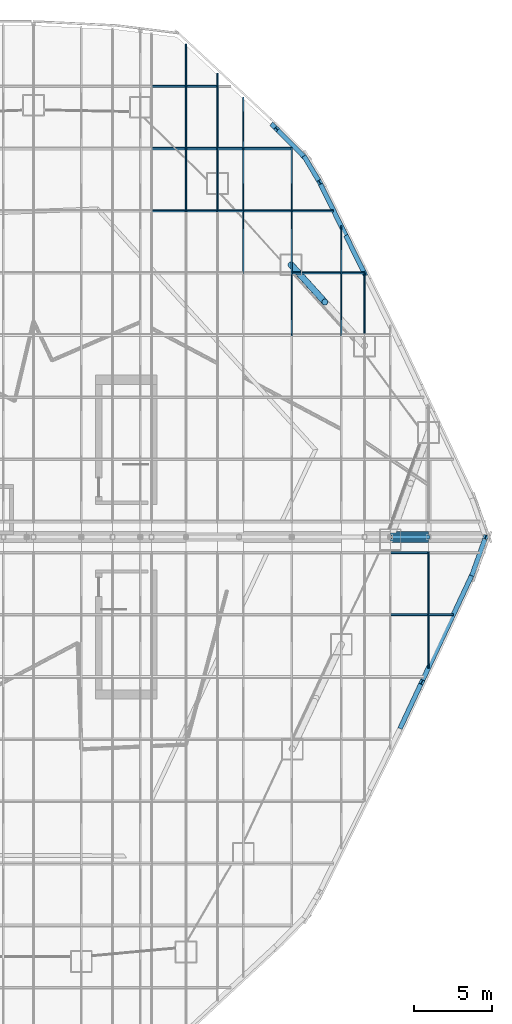
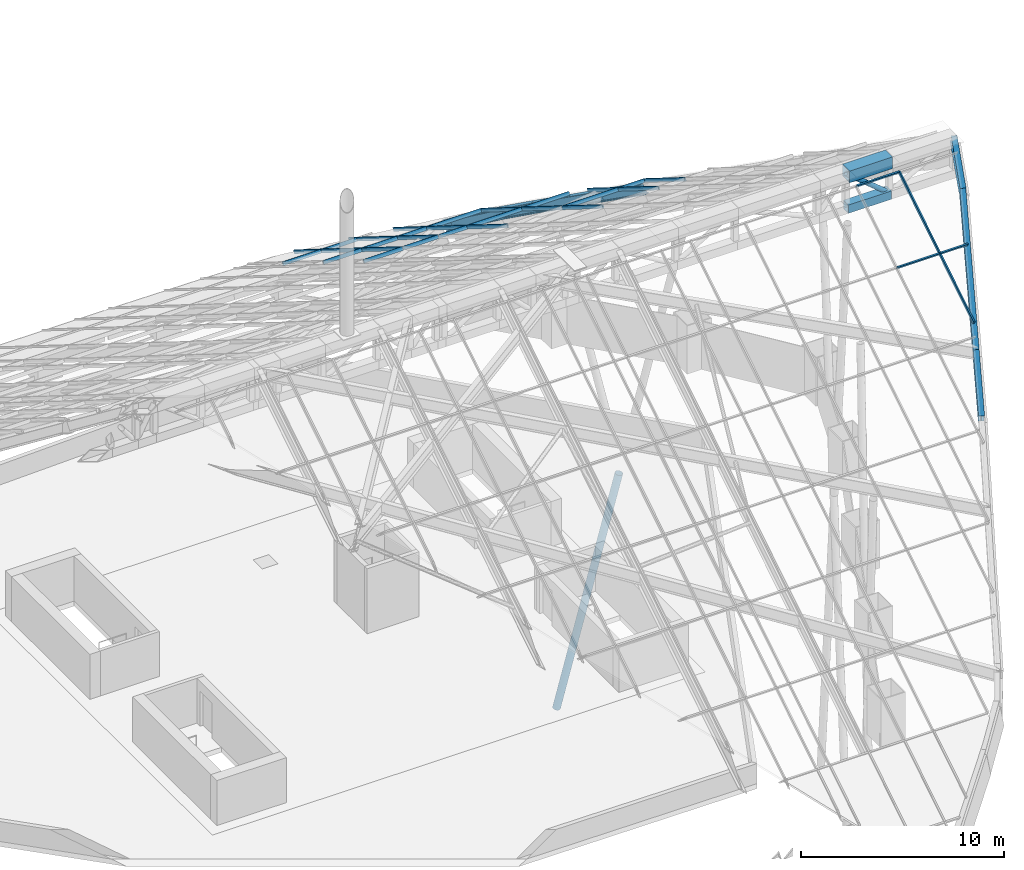
# One storey, part 22 of 38: 45 members, 20 elements without a shape of their own.
"""IFC4 building model written with IfcOpenShell, lengths in metres."""

from ifc_helpers import new_model, si_unit, direction, frame, origin, origin_2d, place, context, subcontext, project, spatial, rectangle, hollow_rectangle, hollow_circle, i_section, extrude, material, layer, layer_set, material_profile, profile_set, type_object, element, aggregate, save


model = new_model("IFC4")

# Units and contexts
model_context = context("Model", 3, precision=1e-05, world=origin(), true_north=direction((0.0, 1.0)))
body_context = subcontext(model_context, "Body", "Model", "MODEL_VIEW")
ifc_project = project(units=[si_unit("LENGTHUNIT", "METRE"), si_unit("AREAUNIT", "SQUARE_METRE"), si_unit("VOLUMEUNIT", "CUBIC_METRE"), si_unit("PLANEANGLEUNIT", "RADIAN"), si_unit("MASSUNIT", "GRAM", prefix="KILO")], contexts=[model_context])

# Site, building, storey
site_placement = place(None, origin())
site = spatial("IfcSite", under=ifc_project, at=site_placement, CompositionType="ELEMENT")
building_placement = place(site_placement, origin())
building = spatial("IfcBuilding", under=site, at=building_placement, Name="Dongbaek Canopy Tower", CompositionType="ELEMENT")
storey_placement = place(building_placement, frame((0.0, 0.0, 375.800048828125)))
storey = spatial("IfcBuildingStorey", under=building, at=storey_placement, Name="Roof", CompositionType="ELEMENT", Elevation=375.800048828125)

# Member
ifc_material_1 = material(Name="Steel S355", Category="steel")
ifc_material_profile_1 = material_profile(ifc_material_1, hollow_circle(Radius=0.203125, WallThickness=0.0126953125, at=origin_2d()), Name="COLONNADE BRACE CHS 406.4x12.7 Steel S355")
ifc_profile_set_1 = profile_set([ifc_material_profile_1], Name="Steel S355")
member_type_1 = type_object("IfcMemberType", Name="COLONNADE BRACE CHS 406.4x12.7 Steel S355", PredefinedType="BRACE", material=ifc_profile_set_1)
member_1_placement = place(storey_placement, frame((21.989990234375, 17.4619140625, -22.199951171875), z_axis=(0.143043946994, -0.157966203785, 0.977028713851), x_axis=(0.741250564373, 0.671228426705, 0.0)))
element("IfcMember", 1, at=member_1_placement, inside=storey, type_object=member_type_1, Name="XBRACE:14:1", PredefinedType="BRACE", context=body_context, shape_type="SweptSolid", body=[
    extrude(hollow_circle(Radius=0.203125, WallThickness=0.0126953125, at=origin_2d()), origin(), (0.0, 0.0, 1.0), 15.1337890625),
])

# Curtain wall, member
ifc_material_2 = material(Name="Aluminium 6063-T6 pale anodised", Category="aluminium")
ifc_layer = layer(ifc_material_2, 0.199951171875)
ifc_layer_set = layer_set([ifc_layer], Name="CW-6 canopy glazing curtain wall")
curtain_wall_type = type_object("IfcCurtainWallType", Name="CW-6 canopy glazing curtain wall", PredefinedType="NOTDEFINED", material=ifc_layer_set)
curtain_wall_1_placement = place(storey_placement, origin())
curtain_wall_1 = element("IfcCurtainWall", 2, at=curtain_wall_1_placement, inside=storey, type_object=curtain_wall_type, Name="CW-6 canopy glazing north 23.6", PredefinedType="NOTDEFINED")
ifc_material_3 = material(Name="Aluminium 6063-T6 pale anodised", Category="aluminium")
ifc_material_profile_2 = material_profile(ifc_material_3, rectangle(XDim=0.080078125, YDim=0.199951171875, at=origin_2d()), Name="CW-6 mullion 80 x 200")
ifc_profile_set_2 = profile_set([ifc_material_profile_2], Name="Aluminium 6063-T6 pale anodised")
member_type_2 = type_object("IfcMemberType", Name="CW-6 mullion 80 x 200", PredefinedType="MULLION", material=ifc_profile_set_2)
member_2_placement = place(storey_placement, frame((15.251953125, 20.93115234375, 5.64453125), z_axis=(0.0, 0.848030400431, -0.529947582262), x_axis=(-1.0, 0.0, 0.0)))
member_2 = element("IfcMember", 3, at=member_2_placement, type_object=member_type_2, Name="CW-6 mullion N23.6.15.3", PredefinedType="MULLION", context=body_context, shape_type="SweptSolid", body=[
    extrude(rectangle(XDim=0.080078125, YDim=0.199951171875, at=origin_2d()), origin(), (0.0, 0.0, 1.0), 4.700439453125),
])

curtain_wall_2_placement = place(storey_placement, origin())
curtain_wall_2 = element("IfcCurtainWall", 4, at=curtain_wall_2_placement, inside=storey, type_object=curtain_wall_type, Name="CW-6 canopy glazing north 23.7", PredefinedType="NOTDEFINED")
member_3_placement = place(storey_placement, frame((15.251953125, 24.917236328125, 3.153564453125), z_axis=(0.0, 0.848068327403, -0.529886886095), x_axis=(-1.0, 0.0, 0.0)))
member_3 = element("IfcMember", 5, at=member_3_placement, type_object=member_type_2, Name="CW-6 mullion N23.7.15.3", PredefinedType="MULLION", context=body_context, shape_type="SweptSolid", body=[
    extrude(rectangle(XDim=0.080078125, YDim=0.199951171875, at=origin_2d()), origin(), (0.0, 0.0, 1.0), 4.700439453125),
])

curtain_wall_3_placement = place(storey_placement, origin())
curtain_wall_3 = element("IfcCurtainWall", 6, at=curtain_wall_3_placement, inside=storey, type_object=curtain_wall_type, Name="CW-6 canopy glazing north 23.8", PredefinedType="NOTDEFINED")
member_4_placement = place(storey_placement, frame((15.251953125, 28.903564453125, 0.662841796875), z_axis=(0.0, 0.84803746353, -0.529936279612), x_axis=(-1.0, 0.0, 0.0)))
member_4 = element("IfcMember", 7, at=member_4_placement, type_object=member_type_2, Name="CW-6 mullion N23.8.15.3", PredefinedType="MULLION", context=body_context, shape_type="SweptSolid", body=[
    extrude(rectangle(XDim=0.080078125, YDim=0.199951171875, at=origin_2d()), origin(), (0.0, 0.0, 1.0), 3.152099609375),
])
aggregate(curtain_wall_3, [member_4])

curtain_wall_4_placement = place(storey_placement, origin())
curtain_wall_4 = element("IfcCurtainWall", 8, at=curtain_wall_4_placement, inside=storey, type_object=curtain_wall_type, Name="CW-6 canopy glazing north 24.6", PredefinedType="NOTDEFINED")
member_5_placement = place(storey_placement, frame((17.27587890625, 20.93115234375, 5.64453125), z_axis=(0.0, 0.848030400431, -0.529947582262), x_axis=(-1.0, 0.0, 0.0)))
member_5 = element("IfcMember", 9, at=member_5_placement, type_object=member_type_2, Name="CW-6 mullion N24.6.17.3", PredefinedType="MULLION", context=body_context, shape_type="SweptSolid", body=[
    extrude(rectangle(XDim=0.080078125, YDim=0.199951171875, at=origin_2d()), origin(), (0.0, 0.0, 1.0), 4.700439453125),
])

curtain_wall_5_placement = place(storey_placement, origin())
curtain_wall_5 = element("IfcCurtainWall", 10, at=curtain_wall_5_placement, inside=storey, type_object=curtain_wall_type, Name="CW-6 canopy glazing north 24.7", PredefinedType="NOTDEFINED")
member_6_placement = place(storey_placement, frame((17.27587890625, 24.917236328125, 3.153564453125), z_axis=(0.0, 0.848068327403, -0.529886886095), x_axis=(-1.0, 0.0, 0.0)))
member_6 = element("IfcMember", 11, at=member_6_placement, type_object=member_type_2, Name="CW-6 mullion N24.7.17.3", PredefinedType="MULLION", context=body_context, shape_type="SweptSolid", body=[
    extrude(rectangle(XDim=0.080078125, YDim=0.199951171875, at=origin_2d()), origin(), (0.0, 0.0, 1.0), 4.700439453125),
])

curtain_wall_6_placement = place(storey_placement, origin())
curtain_wall_6 = element("IfcCurtainWall", 12, at=curtain_wall_6_placement, inside=storey, type_object=curtain_wall_type, Name="CW-6 canopy glazing north 24.8", PredefinedType="NOTDEFINED")
member_7_placement = place(storey_placement, frame((17.27587890625, 28.903564453125, 0.662841796875), z_axis=(0.0, 0.847924760458, -0.530116591518), x_axis=(-1.0, 0.0, 0.0)))
member_7 = element("IfcMember", 13, at=member_7_placement, type_object=member_type_2, Name="CW-6 mullion N24.8.17.3", PredefinedType="MULLION", context=body_context, shape_type="SweptSolid", body=[
    extrude(rectangle(XDim=0.080078125, YDim=0.199951171875, at=origin_2d()), origin(), (0.0, 0.0, 1.0), 0.9326171875),
])
aggregate(curtain_wall_6, [member_7])

curtain_wall_7_placement = place(storey_placement, origin())
curtain_wall_7 = element("IfcCurtainWall", 14, at=curtain_wall_7_placement, inside=storey, type_object=curtain_wall_type, Name="CW-6 canopy glazing north 25.5", PredefinedType="NOTDEFINED")
member_8_placement = place(storey_placement, frame((18.925048828125, 16.94482421875, 8.13525390625), z_axis=(0.0, 0.848068327403, -0.529886886095), x_axis=(-1.0, 0.0, 0.0)))
member_8 = element("IfcMember", 15, at=member_8_placement, type_object=member_type_2, Name="CW-6 mullion N25.5.18.9", PredefinedType="MULLION", context=body_context, shape_type="SweptSolid", body=[
    extrude(rectangle(XDim=0.080078125, YDim=0.199951171875, at=origin_2d()), origin(), (0.0, 0.0, 1.0), 4.700439453125),
])

curtain_wall_8_placement = place(storey_placement, origin())
curtain_wall_8 = element("IfcCurtainWall", 16, at=curtain_wall_8_placement, inside=storey, type_object=curtain_wall_type, Name="CW-6 canopy glazing north 25.6", PredefinedType="NOTDEFINED")
member_9_placement = place(storey_placement, frame((18.925048828125, 20.93115234375, 5.64453125), z_axis=(0.0, 0.848030400431, -0.529947582262), x_axis=(-1.0, 0.0, 0.0)))
member_9 = element("IfcMember", 17, at=member_9_placement, type_object=member_type_2, Name="CW-6 mullion N25.6.18.9", PredefinedType="MULLION", context=body_context, shape_type="SweptSolid", body=[
    extrude(rectangle(XDim=0.080078125, YDim=0.199951171875, at=origin_2d()), origin(), (0.0, 0.0, 1.0), 4.700439453125),
])

curtain_wall_9_placement = place(storey_placement, origin())
curtain_wall_9 = element("IfcCurtainWall", 18, at=curtain_wall_9_placement, inside=storey, type_object=curtain_wall_type, Name="CW-6 canopy glazing north 25.7", PredefinedType="NOTDEFINED")
member_10_placement = place(storey_placement, frame((18.925048828125, 24.917236328125, 3.153564453125), z_axis=(0.0, 0.848048503756, -0.529918611936), x_axis=(-1.0, 0.0, 0.0)))
member_10 = element("IfcMember", 19, at=member_10_placement, type_object=member_type_2, Name="CW-6 mullion N25.7.18.9", PredefinedType="MULLION", context=body_context, shape_type="SweptSolid", body=[
    extrude(rectangle(XDim=0.080078125, YDim=0.199951171875, at=origin_2d()), origin(), (0.0, 0.0, 1.0), 3.824951171875),
])
aggregate(curtain_wall_9, [member_10])

curtain_wall_10_placement = place(storey_placement, origin())
curtain_wall_10 = element("IfcCurtainWall", 20, at=curtain_wall_10_placement, inside=storey, type_object=curtain_wall_type, Name="CW-6 canopy glazing north 26.4", PredefinedType="NOTDEFINED")
member_11_placement = place(storey_placement, frame((22.035400390625, 12.958740234375, 10.626220703125), z_axis=(0.0, 0.848030400431, -0.529947582262), x_axis=(-1.0, 0.0, 0.0)))
member_11 = element("IfcMember", 21, at=member_11_placement, type_object=member_type_2, Name="CW-6 mullion N26.4.22.0", PredefinedType="MULLION", context=body_context, shape_type="SweptSolid", body=[
    extrude(rectangle(XDim=0.080078125, YDim=0.199951171875, at=origin_2d()), origin(), (0.0, 0.0, 1.0), 4.700439453125),
])
aggregate(curtain_wall_10, [member_11])

curtain_wall_11_placement = place(storey_placement, origin())
curtain_wall_11 = element("IfcCurtainWall", 22, at=curtain_wall_11_placement, inside=storey, type_object=curtain_wall_type, Name="CW-6 canopy glazing north 26.5", PredefinedType="NOTDEFINED")
member_12_placement = place(storey_placement, frame((22.035400390625, 16.94482421875, 8.13525390625), z_axis=(0.0, 0.848068327403, -0.529886886095), x_axis=(-1.0, 0.0, 0.0)))
member_12 = element("IfcMember", 23, at=member_12_placement, type_object=member_type_2, Name="CW-6 mullion N26.5.22.0", PredefinedType="MULLION", context=body_context, shape_type="SweptSolid", body=[
    extrude(rectangle(XDim=0.080078125, YDim=0.199951171875, at=origin_2d()), origin(), (0.0, 0.0, 1.0), 4.700439453125),
])

curtain_wall_12_placement = place(storey_placement, origin())
curtain_wall_12 = element("IfcCurtainWall", 24, at=curtain_wall_12_placement, inside=storey, type_object=curtain_wall_type, Name="CW-6 canopy glazing north 26.6", PredefinedType="NOTDEFINED")
member_13_placement = place(storey_placement, frame((22.035400390625, 20.93115234375, 5.64453125), z_axis=(0.0, 0.848030400431, -0.529947582262), x_axis=(-1.0, 0.0, 0.0)))
member_13 = element("IfcMember", 25, at=member_13_placement, type_object=member_type_2, Name="CW-6 mullion N26.6.22.0", PredefinedType="MULLION", context=body_context, shape_type="SweptSolid", body=[
    extrude(rectangle(XDim=0.080078125, YDim=0.199951171875, at=origin_2d()), origin(), (0.0, 0.0, 1.0), 4.700439453125),
])

curtain_wall_13_placement = place(storey_placement, origin())
curtain_wall_13 = element("IfcCurtainWall", 26, at=curtain_wall_13_placement, inside=storey, type_object=curtain_wall_type, Name="CW-6 canopy glazing north 27.4", PredefinedType="NOTDEFINED")
member_14_placement = place(storey_placement, frame((25.2099609375, 12.958740234375, 10.626220703125), z_axis=(0.0, 0.848030400431, -0.529947582262), x_axis=(-1.0, 0.0, 0.0)))
member_14 = element("IfcMember", 27, at=member_14_placement, type_object=member_type_2, Name="CW-6 mullion N27.4.25.2", PredefinedType="MULLION", context=body_context, shape_type="SweptSolid", body=[
    extrude(rectangle(XDim=0.080078125, YDim=0.199951171875, at=origin_2d()), origin(), (0.0, 0.0, 1.0), 4.700439453125),
])

curtain_wall_14_placement = place(storey_placement, origin())
curtain_wall_14 = element("IfcCurtainWall", 28, at=curtain_wall_14_placement, inside=storey, type_object=curtain_wall_type, Name="CW-6 canopy glazing north 27.5", PredefinedType="NOTDEFINED")
member_15_placement = place(storey_placement, frame((25.2099609375, 16.94482421875, 8.13525390625), z_axis=(0.0, 0.848072405074, -0.529880359847), x_axis=(-1.0, 0.0, 0.0)))
member_15 = element("IfcMember", 29, at=member_15_placement, type_object=member_type_2, Name="CW-6 mullion N27.5.25.2", PredefinedType="MULLION", context=body_context, shape_type="SweptSolid", body=[
    extrude(rectangle(XDim=0.080078125, YDim=0.199951171875, at=origin_2d()), origin(), (0.0, 0.0, 1.0), 3.516357421875),
])

curtain_wall_15_placement = place(storey_placement, origin())
curtain_wall_15 = element("IfcCurtainWall", 30, at=curtain_wall_15_placement, inside=storey, type_object=curtain_wall_type, Name="CW-6 canopy glazing north 28.4", PredefinedType="NOTDEFINED")
member_16_placement = place(storey_placement, frame((26.702880859375, 12.958740234375, 10.626220703125), z_axis=(0.0, 0.848039704119, -0.529932694064), x_axis=(-1.0, 0.0, 0.0)))
member_16 = element("IfcMember", 31, at=member_16_placement, type_object=member_type_2, Name="CW-6 mullion N28.4.26.7", PredefinedType="MULLION", context=body_context, shape_type="SweptSolid", body=[
    extrude(rectangle(XDim=0.080078125, YDim=0.199951171875, at=origin_2d()), origin(), (0.0, 0.0, 1.0), 4.637939453125),
])

curtain_wall_16_placement = place(storey_placement, origin())
curtain_wall_16 = element("IfcCurtainWall", 32, at=curtain_wall_16_placement, inside=storey, type_object=curtain_wall_type, Name="CW-6 canopy glazing south 30.1", PredefinedType="NOTDEFINED")
member_17_placement = place(storey_placement, frame((30.804931640625, -1.0, 18.0986328125), z_axis=(0.0, -0.848068327403, -0.529886886095), x_axis=(1.0, 0.0, 0.0)))
member_17 = element("IfcMember", 33, at=member_17_placement, type_object=member_type_2, Name="CW-6 mullion S30.1.30.8", PredefinedType="MULLION", context=body_context, shape_type="SweptSolid", body=[
    extrude(rectangle(XDim=0.080078125, YDim=0.199951171875, at=origin_2d()), origin(), (0.0, 0.0, 1.0), 4.700439453125),
])

curtain_wall_17_placement = place(storey_placement, origin())
curtain_wall_17 = element("IfcCurtainWall", 34, at=curtain_wall_17_placement, inside=storey, type_object=curtain_wall_type, Name="CW-6 canopy glazing south 30.2", PredefinedType="NOTDEFINED")
member_18_placement = place(storey_placement, frame((30.804931640625, -4.986328125, 15.60791015625), z_axis=(0.0, -0.848032661292, -0.52994396438), x_axis=(1.0, 0.0, 0.0)))
member_18 = element("IfcMember", 35, at=member_18_placement, type_object=member_type_2, Name="CW-6 mullion S30.2.30.8", PredefinedType="MULLION", context=body_context, shape_type="SweptSolid", body=[
    extrude(rectangle(XDim=0.080078125, YDim=0.199951171875, at=origin_2d()), origin(), (0.0, 0.0, 1.0), 3.991943359375),
])
aggregate(curtain_wall_17, [member_18])

curtain_wall_18_placement = place(storey_placement, origin())
curtain_wall_18 = element("IfcCurtainWall", 36, at=curtain_wall_18_placement, inside=storey, type_object=curtain_wall_type, Name="CW-6 canopy glazing north 23.5", PredefinedType="NOTDEFINED")
ifc_material_4 = material(Name="Aluminium 6063-T6 pale anodised", Category="aluminium")
ifc_material_profile_3 = material_profile(ifc_material_4, rectangle(XDim=0.080078125, YDim=0.199951171875, at=origin_2d()), Name="CW-6 transom 80 x 200")
ifc_profile_set_3 = profile_set([ifc_material_profile_3], Name="Aluminium 6063-T6 pale anodised")
member_type_3 = type_object("IfcMemberType", Name="CW-6 transom 80 x 200", PredefinedType="USERDEFINED", material=ifc_profile_set_3)
member_19_placement = place(storey_placement, frame((13.035400390625, 20.93115234375, 5.64453125), z_axis=(1.0, 0.0, 0.0), x_axis=(0.0, 0.848048096156, -0.529919264233)))
member_19 = element("IfcMember", 37, at=member_19_placement, type_object=member_type_3, Name="CW-6 transom N23.5.6", ObjectType="TRANSOM", PredefinedType="USERDEFINED", context=body_context, shape_type="SweptSolid", body=[
    extrude(rectangle(XDim=0.080078125, YDim=0.199951171875, at=origin_2d()), origin(), (0.0, 0.0, 1.0), 2.216552734375),
])
aggregate(curtain_wall_18, [member_19])

# Member
member_20_placement = place(storey_placement, frame((13.035400390625, 24.917236328125, 3.153564453125), z_axis=(1.0, 0.0, 0.0), x_axis=(0.0, 0.848048096156, -0.529919264233)))
member_20 = element("IfcMember", 38, at=member_20_placement, type_object=member_type_3, Name="CW-6 transom N23.6.7", ObjectType="TRANSOM", PredefinedType="USERDEFINED", context=body_context, shape_type="SweptSolid", body=[
    extrude(rectangle(XDim=0.080078125, YDim=0.199951171875, at=origin_2d()), origin(), (0.0, 0.0, 1.0), 2.216552734375),
])

aggregate(curtain_wall_1, [member_2, member_20])

member_21_placement = place(storey_placement, frame((13.035400390625, 28.903564453125, 0.662841796875), z_axis=(1.0, 0.0, 0.0), x_axis=(0.0, 0.848048096156, -0.529919264233)))
member_21 = element("IfcMember", 39, at=member_21_placement, type_object=member_type_3, Name="CW-6 transom N23.7.8", ObjectType="TRANSOM", PredefinedType="USERDEFINED", context=body_context, shape_type="SweptSolid", body=[
    extrude(rectangle(XDim=0.080078125, YDim=0.199951171875, at=origin_2d()), origin(), (0.0, 0.0, 1.0), 2.216552734375),
])

aggregate(curtain_wall_2, [member_3, member_21])

# Curtain wall, member
curtain_wall_19_placement = place(storey_placement, origin())
curtain_wall_19 = element("IfcCurtainWall", 40, at=curtain_wall_19_placement, inside=storey, type_object=curtain_wall_type, Name="CW-6 canopy glazing north 24.5", PredefinedType="NOTDEFINED")
member_22_placement = place(storey_placement, frame((15.251953125, 20.93115234375, 5.64453125), z_axis=(1.0, 0.0, 0.0), x_axis=(0.0, 0.848048096156, -0.529919264233)))
member_22 = element("IfcMember", 41, at=member_22_placement, type_object=member_type_3, Name="CW-6 transom N24.5.6", ObjectType="TRANSOM", PredefinedType="USERDEFINED", context=body_context, shape_type="SweptSolid", body=[
    extrude(rectangle(XDim=0.080078125, YDim=0.199951171875, at=origin_2d()), origin(), (0.0, 0.0, 1.0), 2.02392578125),
])
aggregate(curtain_wall_19, [member_22])

# Member
member_23_placement = place(storey_placement, frame((15.251953125, 24.917236328125, 3.153564453125), z_axis=(1.0, 0.0, 0.0), x_axis=(0.0, 0.848048096156, -0.529919264233)))
member_23 = element("IfcMember", 42, at=member_23_placement, type_object=member_type_3, Name="CW-6 transom N24.6.7", ObjectType="TRANSOM", PredefinedType="USERDEFINED", context=body_context, shape_type="SweptSolid", body=[
    extrude(rectangle(XDim=0.080078125, YDim=0.199951171875, at=origin_2d()), origin(), (0.0, 0.0, 1.0), 2.02392578125),
])

aggregate(curtain_wall_4, [member_5, member_23])

member_24_placement = place(storey_placement, frame((15.251953125, 28.903564453125, 0.662841796875), z_axis=(1.0, 0.0, 0.0), x_axis=(0.0, 0.848048096156, -0.529919264233)))
member_24 = element("IfcMember", 43, at=member_24_placement, type_object=member_type_3, Name="CW-6 transom N24.7.8", ObjectType="TRANSOM", PredefinedType="USERDEFINED", context=body_context, shape_type="SweptSolid", body=[
    extrude(rectangle(XDim=0.080078125, YDim=0.199951171875, at=origin_2d()), origin(), (0.0, 0.0, 1.0), 2.02392578125),
])

aggregate(curtain_wall_5, [member_6, member_24])

member_25_placement = place(storey_placement, frame((17.27587890625, 20.93115234375, 5.64453125), z_axis=(1.0, 0.0, 0.0), x_axis=(0.0, 0.848048096156, -0.529919264233)))
member_25 = element("IfcMember", 44, at=member_25_placement, type_object=member_type_3, Name="CW-6 transom N25.5.6", ObjectType="TRANSOM", PredefinedType="USERDEFINED", context=body_context, shape_type="SweptSolid", body=[
    extrude(rectangle(XDim=0.080078125, YDim=0.199951171875, at=origin_2d()), origin(), (0.0, 0.0, 1.0), 1.649169921875),
])

aggregate(curtain_wall_7, [member_8, member_25])

member_26_placement = place(storey_placement, frame((17.27587890625, 24.917236328125, 3.153564453125), z_axis=(1.0, 0.0, 0.0), x_axis=(0.0, 0.848048096156, -0.529919264233)))
member_26 = element("IfcMember", 45, at=member_26_placement, type_object=member_type_3, Name="CW-6 transom N25.6.7", ObjectType="TRANSOM", PredefinedType="USERDEFINED", context=body_context, shape_type="SweptSolid", body=[
    extrude(rectangle(XDim=0.080078125, YDim=0.199951171875, at=origin_2d()), origin(), (0.0, 0.0, 1.0), 1.649169921875),
])

aggregate(curtain_wall_8, [member_9, member_26])

member_27_placement = place(storey_placement, frame((18.925048828125, 20.93115234375, 5.64453125), z_axis=(1.0, 0.0, 0.0), x_axis=(0.0, 0.848048096156, -0.529919264233)))
member_27 = element("IfcMember", 46, at=member_27_placement, type_object=member_type_3, Name="CW-6 transom N26.5.6", ObjectType="TRANSOM", PredefinedType="USERDEFINED", context=body_context, shape_type="SweptSolid", body=[
    extrude(rectangle(XDim=0.080078125, YDim=0.199951171875, at=origin_2d()), origin(), (0.0, 0.0, 1.0), 3.1103515625),
])

aggregate(curtain_wall_11, [member_12, member_27])

member_28_placement = place(storey_placement, frame((18.925048828125, 24.917236328125, 3.153564453125), z_axis=(1.0, 0.0, 0.0), x_axis=(0.0, 0.848048096156, -0.529919264233)))
member_28 = element("IfcMember", 47, at=member_28_placement, type_object=member_type_3, Name="CW-6 transom N26.6.7", ObjectType="TRANSOM", PredefinedType="USERDEFINED", context=body_context, shape_type="SweptSolid", body=[
    extrude(rectangle(XDim=0.080078125, YDim=0.199951171875, at=origin_2d()), origin(), (0.0, 0.0, 1.0), 3.1103515625),
])

aggregate(curtain_wall_12, [member_13, member_28])

member_29_placement = place(storey_placement, frame((22.035400390625, 16.94482421875, 8.13525390625), z_axis=(1.0, 0.0, 0.0), x_axis=(0.0, 0.848048096156, -0.529919264233)))
member_29 = element("IfcMember", 48, at=member_29_placement, type_object=member_type_3, Name="CW-6 transom N27.4.5", ObjectType="TRANSOM", PredefinedType="USERDEFINED", context=body_context, shape_type="SweptSolid", body=[
    extrude(rectangle(XDim=0.080078125, YDim=0.199951171875, at=origin_2d()), origin(), (0.0, 0.0, 1.0), 3.174560546875),
])

aggregate(curtain_wall_13, [member_14, member_29])

member_30_placement = place(storey_placement, frame((22.035400390625, 20.93115234375, 5.64453125), z_axis=(1.0, 0.0, 0.0), x_axis=(0.0, 0.848048096156, -0.529919264233)))
member_30 = element("IfcMember", 49, at=member_30_placement, type_object=member_type_3, Name="CW-6 transom N27.5.6", ObjectType="TRANSOM", PredefinedType="USERDEFINED", context=body_context, shape_type="SweptSolid", body=[
    extrude(rectangle(XDim=0.080078125, YDim=0.199951171875, at=origin_2d()), origin(), (0.0, 0.0, 1.0), 2.6806640625),
])

aggregate(curtain_wall_14, [member_15, member_30])

member_31_placement = place(storey_placement, frame((25.2099609375, 16.94482421875, 8.13525390625), z_axis=(1.0, 0.0, 0.0), x_axis=(0.0, 0.848048096156, -0.529919264233)))
member_31 = element("IfcMember", 50, at=member_31_placement, type_object=member_type_3, Name="CW-6 transom N28.4.5", ObjectType="TRANSOM", PredefinedType="USERDEFINED", context=body_context, shape_type="SweptSolid", body=[
    extrude(rectangle(XDim=0.080078125, YDim=0.199951171875, at=origin_2d()), origin(), (0.0, 0.0, 1.0), 1.467041015625),
])

aggregate(curtain_wall_15, [member_16, member_31])

member_32_placement = place(storey_placement, frame((28.35107421875, -1.0, 18.0986328125), z_axis=(1.0, 0.0, 0.0), x_axis=(0.0, 0.848048096156, 0.529919264233)))
member_32 = element("IfcMember", 51, at=member_32_placement, type_object=member_type_3, Name="CW-6 transom S30.1.1", ObjectType="TRANSOM", PredefinedType="USERDEFINED", context=body_context, shape_type="SweptSolid", body=[
    extrude(rectangle(XDim=0.080078125, YDim=0.199951171875, at=origin_2d()), origin(), (0.0, 0.0, 1.0), 2.453857421875),
])

member_33_placement = place(storey_placement, frame((28.35107421875, -4.986328125, 15.60791015625), z_axis=(1.0, 0.0, 0.0), x_axis=(0.0, 0.848048096156, 0.529919264233)))
member_33 = element("IfcMember", 52, at=member_33_placement, type_object=member_type_3, Name="CW-6 transom S30.1.2", ObjectType="TRANSOM", PredefinedType="USERDEFINED", context=body_context, shape_type="SweptSolid", body=[
    extrude(rectangle(XDim=0.080078125, YDim=0.199951171875, at=origin_2d()), origin(), (0.0, 0.0, 1.0), 2.453857421875),
])

aggregate(curtain_wall_16, [member_17, member_32, member_33])

# Curtain wall, member
curtain_wall_20_placement = place(storey_placement, origin())
curtain_wall_20 = element("IfcCurtainWall", 53, at=curtain_wall_20_placement, inside=storey, type_object=curtain_wall_type, Name="CW-6 canopy glazing south 31.1", PredefinedType="NOTDEFINED")
member_34_placement = place(storey_placement, frame((30.804931640625, -4.986328125, 15.60791015625), z_axis=(1.0, 0.0, 0.0), x_axis=(0.0, 0.848048096156, 0.529919264233)))
member_34 = element("IfcMember", 54, at=member_34_placement, type_object=member_type_3, Name="CW-6 transom S31.1.2", ObjectType="TRANSOM", PredefinedType="USERDEFINED", context=body_context, shape_type="SweptSolid", body=[
    extrude(rectangle(XDim=0.080078125, YDim=0.199951171875, at=origin_2d()), origin(), (0.0, 0.0, 1.0), 1.5849609375),
])
aggregate(curtain_wall_20, [member_34])

# Members
ifc_material_5 = material(Name="Steel S355", Category="steel")
ifc_material_profile_4 = material_profile(ifc_material_5, i_section(OverallWidth=0.300048828125, OverallDepth=0.587890625, WebThickness=0.011962890625, FlangeThickness=0.02001953125, FilletRadius=0.028076171875, at=origin_2d()), Name="EAVES BEAM H 588x300x12x20 Steel S355")
ifc_profile_set_4 = profile_set([ifc_material_profile_4], Name="Steel S355")
member_type_4 = type_object("IfcMemberType", Name="EAVES BEAM H 588x300x12x20 Steel S355", PredefinedType="MEMBER", material=ifc_profile_set_4)
member_35_placement = place(storey_placement, frame((29.03515625, -12.15087890625, 10.658935546875), z_axis=(0.369120837935, 0.788159333046, 0.492498398713), x_axis=(-0.90560409421, 0.424124067402, 0.0)))
element("IfcMember", 55, at=member_35_placement, inside=storey, type_object=member_type_4, Name="EAVE:27", PredefinedType="MEMBER", context=body_context, shape_type="SweptSolid", body=[
    extrude(i_section(OverallWidth=0.300048828125, OverallDepth=0.587890625, WebThickness=0.011962890625, FlangeThickness=0.02001953125, FilletRadius=0.028076171875, at=origin_2d()), origin(), (0.0, 0.0, 1.0), 3.619140625),
])
member_36_placement = place(storey_placement, frame((30.37109375, -9.29833984375, 12.44140625), z_axis=(0.369006851084, 0.788195756885, 0.492525524904), x_axis=(-0.905661920007, 0.424000573879, 0.0)))
element("IfcMember", 56, at=member_36_placement, inside=storey, type_object=member_type_4, Name="EAVE:28", PredefinedType="MEMBER", context=body_context, shape_type="SweptSolid", body=[
    extrude(i_section(OverallWidth=0.300048828125, OverallDepth=0.587890625, WebThickness=0.011962890625, FlangeThickness=0.02001953125, FilletRadius=0.028076171875, at=origin_2d()), origin(), (0.0, 0.0, 1.0), 8.8251953125),
])
member_37_placement = place(storey_placement, frame((33.627685546875, -2.34228515625, 16.7880859375), z_axis=(0.28999238228, 0.811606451458, 0.507148288148), x_axis=(-0.941693046542, 0.336473187779, 0.0)))
element("IfcMember", 57, at=member_37_placement, inside=storey, type_object=member_type_4, Name="EAVE:29", PredefinedType="MEMBER", context=body_context, shape_type="SweptSolid", body=[
    extrude(i_section(OverallWidth=0.300048828125, OverallDepth=0.587890625, WebThickness=0.011962890625, FlangeThickness=0.02001953125, FilletRadius=0.028076171875, at=origin_2d()), origin(), (0.0, 0.0, 1.0), 2.885986328125),
])
member_38_placement = place(storey_placement, frame((26.702880859375, 16.891845703125, 7.696533203125), z_axis=(-0.384977628431, 0.782681111501, -0.489083329614), x_axis=(-0.897326132256, -0.441368114355, 0.0)))
element("IfcMember", 58, at=member_38_placement, inside=storey, type_object=member_type_4, Name="EAVE:35", PredefinedType="MEMBER", context=body_context, shape_type="SweptSolid", body=[
    extrude(i_section(OverallWidth=0.300048828125, OverallDepth=0.587890625, WebThickness=0.011962890625, FlangeThickness=0.02001953125, FilletRadius=0.028076171875, at=origin_2d()), origin(), (0.0, 0.0, 1.0), 2.9736328125),
])
member_39_placement = place(storey_placement, frame((25.55810546875, 19.21923828125, 6.2421875), z_axis=(-0.38499106855, 0.78269257558, -0.489054403179), x_axis=(-0.897322590016, -0.441375315855, 0.0)))
element("IfcMember", 59, at=member_39_placement, inside=storey, type_object=member_type_4, Name="EAVE:36", PredefinedType="MEMBER", context=body_context, shape_type="SweptSolid", body=[
    extrude(i_section(OverallWidth=0.300048828125, OverallDepth=0.587890625, WebThickness=0.011962890625, FlangeThickness=0.02001953125, FilletRadius=0.028076171875, at=origin_2d()), origin(), (0.0, 0.0, 1.0), 4.513916015625),
])
member_40_placement = place(storey_placement, frame((23.8203125, 22.752197265625, 4.03466796875), z_axis=(-0.450682075309, 0.757028061141, -0.473068897351), x_axis=(-0.85925789479, -0.511542637754, 0.0)))
element("IfcMember", 60, at=member_40_placement, inside=storey, type_object=member_type_4, Name="EAVE:37", PredefinedType="MEMBER", context=body_context, shape_type="SweptSolid", body=[
    extrude(i_section(OverallWidth=0.300048828125, OverallDepth=0.587890625, WebThickness=0.011962890625, FlangeThickness=0.02001953125, FilletRadius=0.028076171875, at=origin_2d()), origin(), (0.0, 0.0, 1.0), 2.072021484375),
])
member_41_placement = place(storey_placement, frame((22.886474609375, 24.32080078125, 3.054443359375), z_axis=(-0.641050518342, 0.650890455556, -0.406688883299), x_axis=(-0.712471723396, -0.701700821833, 0.0)))
element("IfcMember", 61, at=member_41_placement, inside=storey, type_object=member_type_4, Name="EAVE:38", PredefinedType="MEMBER", context=body_context, shape_type="SweptSolid", body=[
    extrude(i_section(OverallWidth=0.300048828125, OverallDepth=0.587890625, WebThickness=0.011962890625, FlangeThickness=0.02001953125, FilletRadius=0.028076171875, at=origin_2d()), origin(), (0.0, 0.0, 1.0), 2.853271484375),
])
member_42_placement = place(storey_placement, frame((21.057373046875, 26.177978515625, 1.89404296875), z_axis=(-0.673961735839, 0.626225396674, -0.391940468931), x_axis=(-0.68068674802, -0.732574604439, 0.0)))
element("IfcMember", 62, at=member_42_placement, inside=storey, type_object=member_type_4, Name="EAVE:39", PredefinedType="MEMBER", context=body_context, shape_type="SweptSolid", body=[
    extrude(i_section(OverallWidth=0.300048828125, OverallDepth=0.587890625, WebThickness=0.011962890625, FlangeThickness=0.02001953125, FilletRadius=0.028076171875, at=origin_2d()), origin(), (0.0, 0.0, 1.0), 0.388671875),
])
ifc_material_6 = material(Name="Steel S355", Category="steel")
ifc_material_profile_5 = material_profile(ifc_material_6, hollow_rectangle(XDim=0.699951171875, YDim=0.699951171875, WallThickness=0.035888671875, at=origin_2d()), Name="RIDGE BEAM BOX 700x700x36 Steel S355")
ifc_profile_set_5 = profile_set([ifc_material_profile_5], Name="Steel S355")
member_type_5 = type_object("IfcMemberType", Name="RIDGE BEAM BOX 700x700x36 Steel S355", PredefinedType="MEMBER", material=ifc_profile_set_5)
member_43_placement = place(storey_placement, frame((28.35107421875, 0.0, 18.251708984375), z_axis=(1.0, 0.0, 0.0), x_axis=(0.0, 1.0, 0.0)))
element("IfcMember", 63, at=member_43_placement, inside=storey, type_object=member_type_5, Name="RIDGE:27", PredefinedType="MEMBER", context=body_context, shape_type="SweptSolid", body=[
    extrude(hollow_rectangle(XDim=0.699951171875, YDim=0.699951171875, WallThickness=0.035888671875, at=origin_2d()), origin(), (0.0, 0.0, 1.0), 2.453857421875),
])
ifc_material_7 = material(Name="Steel S355", Category="steel")
ifc_material_profile_6 = material_profile(ifc_material_7, hollow_circle(Radius=0.1337890625, WallThickness=0.00927734375, at=origin_2d()), Name="RIDGE BRACE CHS 267.4x9.3 Steel S355")
ifc_profile_set_6 = profile_set([ifc_material_profile_6], Name="Steel S355")
member_type_6 = type_object("IfcMemberType", Name="RIDGE BRACE CHS 267.4x9.3 Steel S355", PredefinedType="BRACE", material=ifc_profile_set_6)
member_44_placement = place(storey_placement, frame((28.35107421875, 0.0, 18.251708984375), z_axis=(0.775148256254, 0.0, -0.631779376702), x_axis=(0.0, 1.0, 0.0)))
element("IfcMember", 64, at=member_44_placement, inside=storey, type_object=member_type_6, Name="RIDGEBRACE:27", PredefinedType="BRACE", context=body_context, shape_type="SweptSolid", body=[
    extrude(hollow_circle(Radius=0.1337890625, WallThickness=0.00927734375, at=origin_2d()), origin(), (0.0, 0.0, 1.0), 3.165771484375),
])
ifc_material_8 = material(Name="Steel S355", Category="steel")
ifc_material_profile_7 = material_profile(ifc_material_8, hollow_rectangle(XDim=0.5, YDim=0.5, WallThickness=0.030029296875, at=origin_2d()), Name="RIDGE LOWER CHORD BOX 500x500x30 Steel S355")
ifc_profile_set_7 = profile_set([ifc_material_profile_7], Name="Steel S355")
member_type_7 = type_object("IfcMemberType", Name="RIDGE LOWER CHORD BOX 500x500x30 Steel S355", PredefinedType="CHORD", material=ifc_profile_set_7)
member_45_placement = place(storey_placement, frame((28.35107421875, 0.0, 16.251708984375), z_axis=(1.0, 0.0, 0.0), x_axis=(0.0, 1.0, 0.0)))
element("IfcMember", 65, at=member_45_placement, inside=storey, type_object=member_type_7, Name="RIDGELOW:27", PredefinedType="CHORD", context=body_context, shape_type="SweptSolid", body=[
    extrude(hollow_rectangle(XDim=0.5, YDim=0.5, WallThickness=0.030029296875, at=origin_2d()), origin(), (0.0, 0.0, 1.0), 2.453857421875),
])

save(model, "model.ifc")
